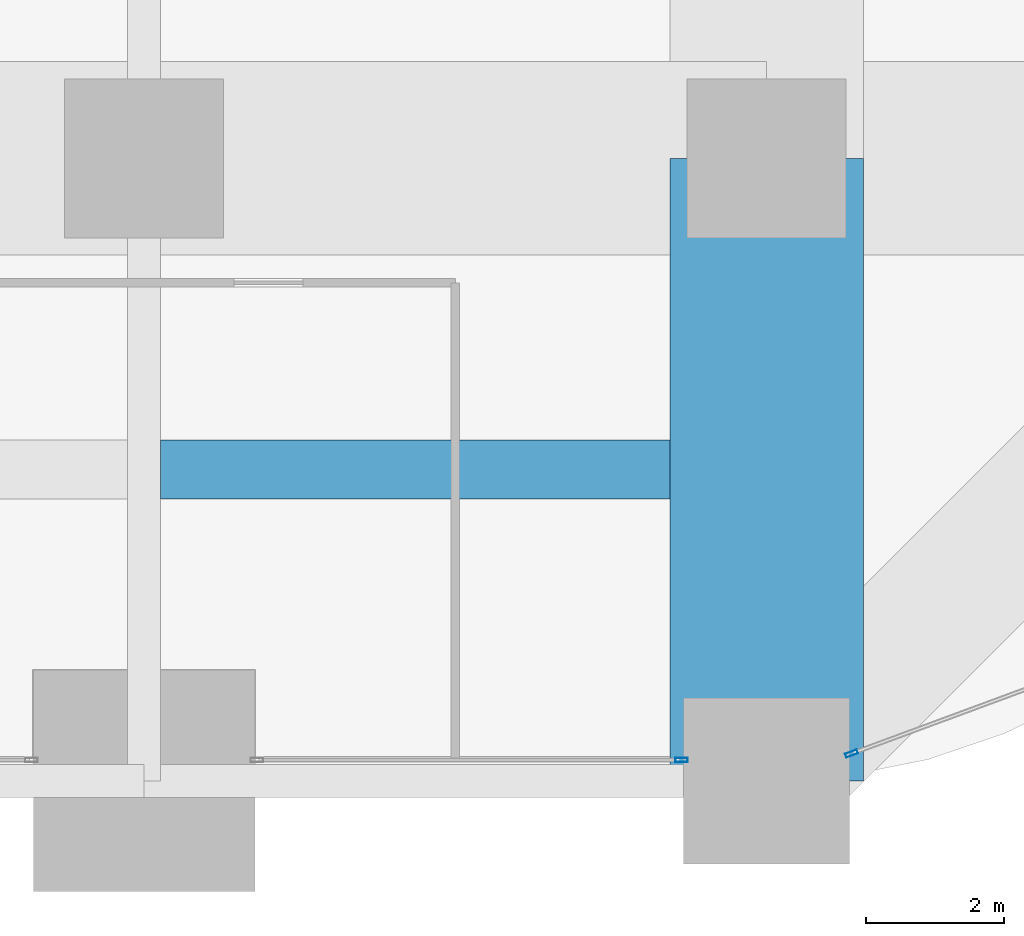
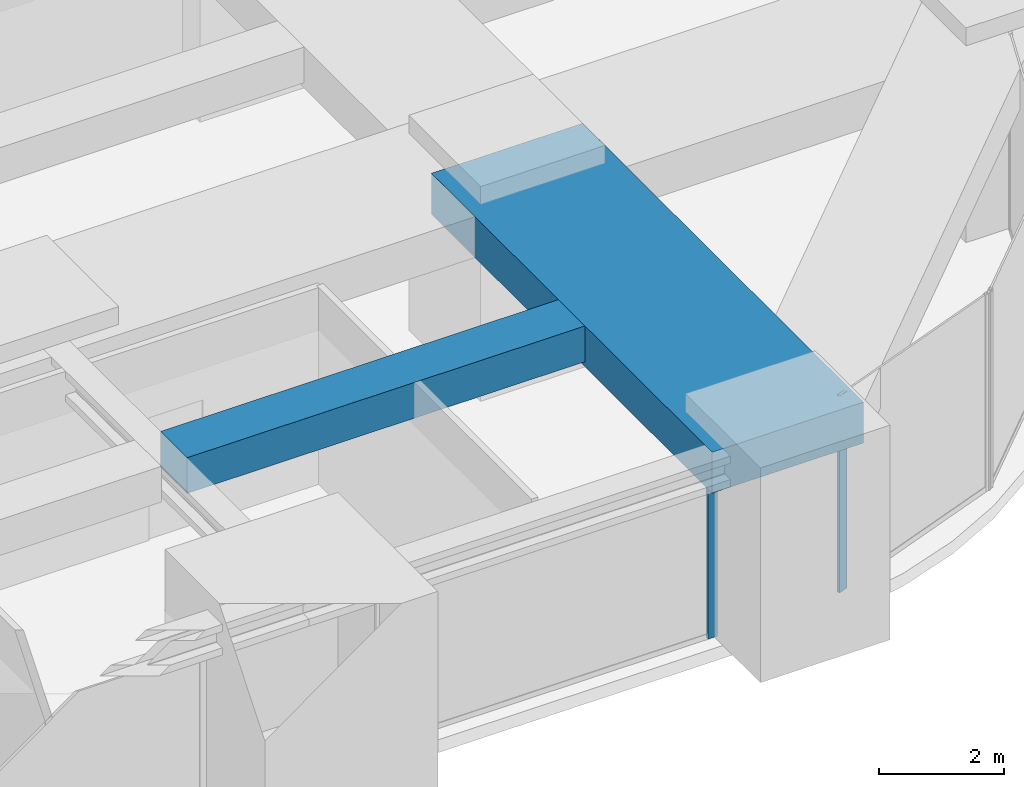
# One storey, part 14 of 42: 2 beams, 2 members, 2 elements without a shape of their own.
"""IFC4 building model written with IfcOpenShell, lengths in metres."""

from ifc_helpers import new_model, si_unit, direction, frame, origin, origin_2d, place, context, subcontext, project, spatial, rectangle, hollow_rectangle, extrude, material, material_profile, profile_set, type_object, element, aggregate, save


model = new_model("IFC4")

# Units and contexts
model_context = context("Model", 3, precision=1e-05, world=origin(), true_north=direction((0.0, 1.0)))
body_context = subcontext(model_context, "Body", "Model", "MODEL_VIEW")
ifc_project = project(units=[si_unit("LENGTHUNIT", "METRE"), si_unit("AREAUNIT", "SQUARE_METRE"), si_unit("VOLUMEUNIT", "CUBIC_METRE"), si_unit("PLANEANGLEUNIT", "RADIAN"), si_unit("MASSUNIT", "GRAM", prefix="KILO")], contexts=[model_context])

# Site, building, storey
site_placement = place(None, origin())
site = spatial("IfcSite", under=ifc_project, at=site_placement, CompositionType="ELEMENT")
building_placement = place(site_placement, origin())
building = spatial("IfcBuilding", under=site, at=building_placement, Name="Zorevar Civic Tower", CompositionType="ELEMENT")
storey_placement = place(building_placement, frame((0.0, 0.0, 75.800048828125)))
storey = spatial("IfcBuildingStorey", under=building, at=storey_placement, Name="L18", CompositionType="ELEMENT", Elevation=75.800048828125)

# Beams
ifc_material_1 = material(Name="Concrete C50/60", Category="concrete")
ifc_material_profile_1 = material_profile(ifc_material_1, rectangle(XDim=2.800048828125, YDim=0.800048828125, at=origin_2d()), Name="RC 2800x800")
ifc_profile_set_1 = profile_set([ifc_material_profile_1], Name="Concrete C50/60")
beam_type_1 = type_object("IfcBeamType", Name="Beam RC 2800x800", PredefinedType="BEAM", material=ifc_profile_set_1)
beam_1_placement = place(storey_placement, frame((54.0, 0.0, 3.449951171875), z_axis=(0.0, 1.0, 0.0), x_axis=(-1.0, 0.0, 0.0)))
element("IfcBeam", 1, at=beam_1_placement, inside=storey, type_object=beam_type_1, Name="Girder L19", PredefinedType="BEAM", context=body_context, shape_type="SweptSolid", body=[
    extrude(rectangle(XDim=2.800048828125, YDim=0.800048828125, at=origin_2d()), origin(), (0.0, 0.0, 1.0), 9.0),
])
ifc_material_2 = material(Name="Concrete C50/60", Category="concrete")
ifc_material_profile_2 = material_profile(ifc_material_2, rectangle(XDim=0.85009765625, YDim=0.699951171875, at=origin_2d()), Name="RC 850x700")
ifc_profile_set_2 = profile_set([ifc_material_profile_2], Name="Concrete C50/60")
beam_type_2 = type_object("IfcBeamType", Name="Beam RC 850x700", PredefinedType="BEAM", material=ifc_profile_set_2)
beam_2_placement = place(storey_placement, frame((45.238037109375, 4.5, 3.5), z_axis=(1.0, 0.0, 0.0), x_axis=(0.0, 1.0, 0.0)))
element("IfcBeam", 2, at=beam_2_placement, inside=storey, type_object=beam_type_2, Name="Secondary beam L19", PredefinedType="BEAM", context=body_context, shape_type="SweptSolid", body=[
    extrude(rectangle(XDim=0.85009765625, YDim=0.699951171875, at=origin_2d()), origin(), (0.0, 0.0, 1.0), 7.362060546875),
])

# Curtain wall, member
ifc_material_3 = material(Name="Dark grey solar-control glass in black aluminium frame", Category="aluminium")
curtain_wall_type = type_object("IfcCurtainWallType", Name="Curtain wall CW2 low zone", PredefinedType="NOTDEFINED", material=ifc_material_3)
curtain_wall_1_placement = place(storey_placement, origin())
curtain_wall_1 = element("IfcCurtainWall", 3, at=curtain_wall_1_placement, inside=storey, type_object=curtain_wall_type, Name="CW2 L18", PredefinedType="NOTDEFINED")
ifc_material_4 = material(Name="Aluminium, black anodised", Category="aluminium")
ifc_material_profile_3 = material_profile(ifc_material_4, hollow_rectangle(XDim=0.06005859375, YDim=0.179931640625, WallThickness=0.00390625, at=origin_2d()), Name="AL 180x60x4")
ifc_profile_set_3 = profile_set([ifc_material_profile_3], Name="Aluminium, black anodised")
member_type = type_object("IfcMemberType", Name="CW2 mullion AL 180x60x4", PredefinedType="MULLION", material=ifc_profile_set_3)
member_1_placement = place(storey_placement, frame((52.77001953125, 0.300048828125, 0.0), z_axis=(0.0, 0.0, 1.0), x_axis=(0.0, 1.0, 0.0)))
member_1 = element("IfcMember", 4, at=member_1_placement, type_object=member_type, Name="CW2 mullion 2", PredefinedType="MULLION", context=body_context, shape_type="SweptSolid", body=[
    extrude(hollow_rectangle(XDim=0.06005859375, YDim=0.179931640625, WallThickness=0.00390625, at=origin_2d()), origin(), (0.0, 0.0, 1.0), 3.050048828125),
])
aggregate(curtain_wall_1, [member_1])

curtain_wall_2_placement = place(storey_placement, origin())
curtain_wall_2 = element("IfcCurtainWall", 5, at=curtain_wall_2_placement, inside=storey, type_object=curtain_wall_type, Name="CW2 L18", PredefinedType="NOTDEFINED")
member_2_placement = place(storey_placement, frame((55.22802734375, 0.3935546875, 0.0), z_axis=(0.0, 0.0, 1.0), x_axis=(-0.346704012033, 0.937974588163, 0.0)))
member_2 = element("IfcMember", 6, at=member_2_placement, type_object=member_type, Name="CW2 mullion 1", PredefinedType="MULLION", context=body_context, shape_type="SweptSolid", body=[
    extrude(hollow_rectangle(XDim=0.06005859375, YDim=0.179931640625, WallThickness=0.00390625, at=origin_2d()), origin(), (0.0, 0.0, 1.0), 3.849853515625),
])
aggregate(curtain_wall_2, [member_2])

save(model, "model.ifc")
